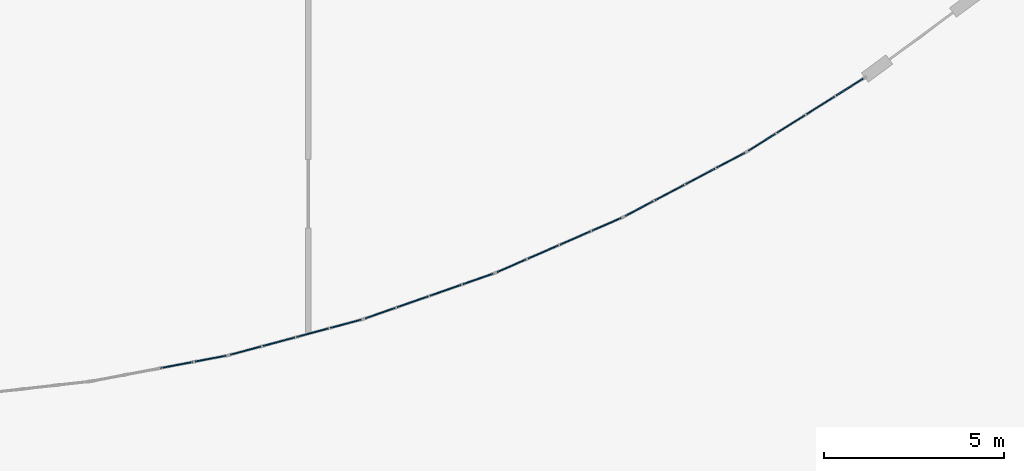
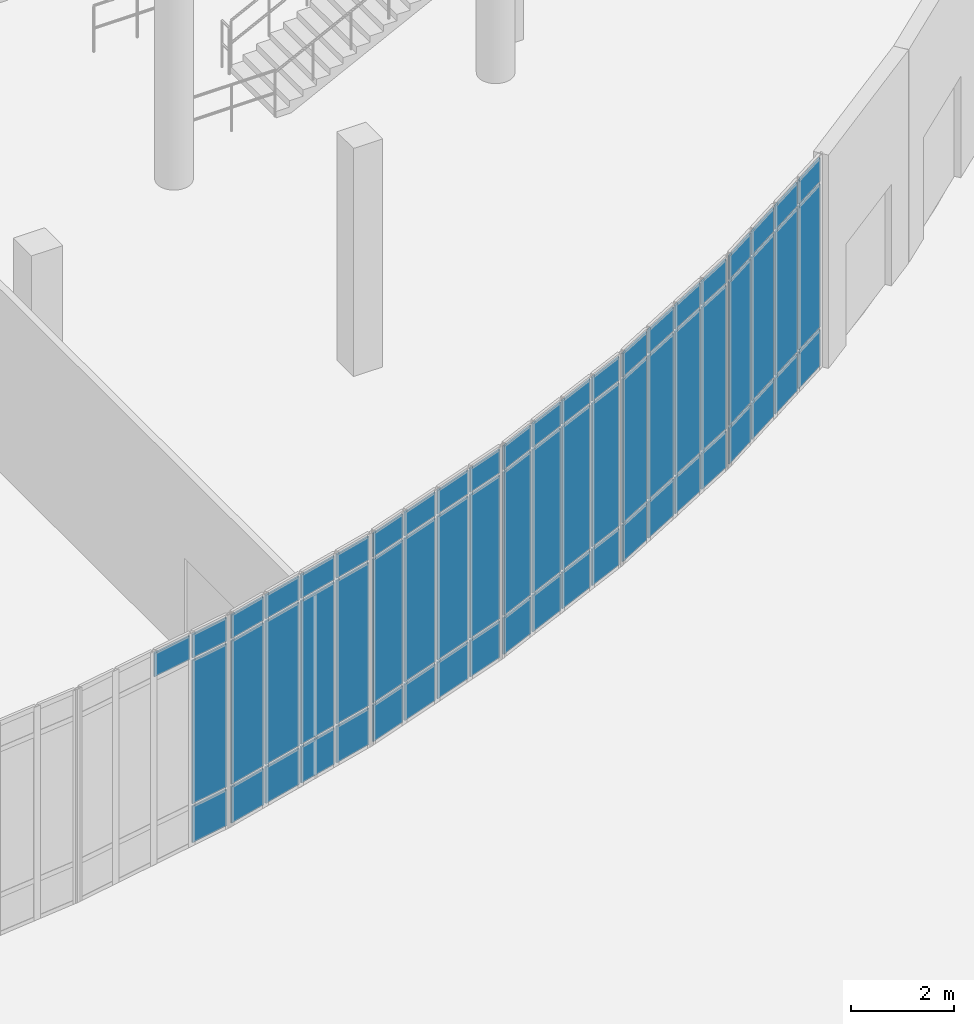
# One storey, part 76 of 110: 64 plates, 6 elements without a shape of their own.
"""IFC4 building model written with IfcOpenShell, lengths in metres."""

import ifcopenshell
import ifcopenshell.guid

model = None  # the IFC model being written
_history = None  # IfcOwnerHistory: only IFC2X3 demands one
_inside = {}  # id of a spatial element -> (the spatial element, [elements in it])
_under = {}  # id of a project, library or spatial element -> (it, [spatial elements below it])
_declared = {}  # id of a project -> (the project, [libraries it declares])
_typed = {}  # id of a type object -> (the type object, [elements of that type])
_made_of = {}  # id of a material, layer set ... -> (it, [elements and type objects made of it])


def new_model(schema):
    """Start an empty IFC model of exactly this schema.

    Asked for "IFC4X3", IfcOpenShell would pick the latest addendum, in which some entities
    have other attributes; the version numbers below select the first issue.
    IFC2X3 requires an IfcOwnerHistory on every rooted entity: one is made here for all.
    """
    global model, _history
    if schema == "IFC4X3":
        model = ifcopenshell.file(schema_version=(4, 3, 0, 0))
    else:
        model = ifcopenshell.file(schema=schema)
    _inside.clear()
    _under.clear()
    _declared.clear()
    _typed.clear()
    _made_of.clear()
    _history = None
    if model.schema == "IFC2X3":
        org = make("IfcOrganization", Name="unknown")
        user = make(
            "IfcPersonAndOrganization",
            ThePerson=make("IfcPerson", FamilyName="unknown"),
            TheOrganization=org,
        )
        app = make(
            "IfcApplication",
            ApplicationDeveloper=org,
            Version="unknown",
            ApplicationFullName="unknown",
            ApplicationIdentifier="unknown",
        )
        _history = make(
            "IfcOwnerHistory",
            OwningUser=user,
            OwningApplication=app,
            ChangeAction="ADDED",
            CreationDate=0,
        )
    return model


def make(cls, **values):
    """One entity of the class cls with the attributes given. An attribute that is None is left unset."""
    return model.create_entity(
        cls, **{name: value for name, value in values.items() if value is not None}
    )


def rooted(cls, **values):
    """An entity with a GlobalId (a new one), such as an element, a storey or a relation."""
    return make(cls, GlobalId=ifcopenshell.guid.new(), OwnerHistory=_history, **values)


def si_unit(unit_type, name, prefix=None):
    """IfcSIUnit, for example si_unit("LENGTHUNIT", "METRE", prefix="MILLI")."""
    return make("IfcSIUnit", UnitType=unit_type, Prefix=prefix, Name=name)


def assignment(units):
    """IfcUnitAssignment: the units of a project."""
    return None if units is None else make("IfcUnitAssignment", Units=units)


def point(xyz):
    """IfcCartesianPoint."""
    return None if xyz is None else make("IfcCartesianPoint", Coordinates=xyz)


def direction(xyz):
    """IfcDirection."""
    return None if xyz is None else make("IfcDirection", DirectionRatios=xyz)


def frame(location, z_axis=None, x_axis=None):
    """IfcAxis2Placement3D, a coordinate frame: its origin and axes. An axis left out is left unset."""
    return make(
        "IfcAxis2Placement3D",
        Location=point(location),
        Axis=direction(z_axis),
        RefDirection=direction(x_axis),
    )


def frame_2d(location, x_axis=None):
    """IfcAxis2Placement2D, a coordinate frame in the plane: its origin and x axis."""
    return make(
        "IfcAxis2Placement2D", Location=point(location), RefDirection=direction(x_axis)
    )


def origin():
    """The frame at (0, 0, 0) with its axes left unset."""
    return frame((0.0, 0.0, 0.0))


def origin_2d():
    """The frame at (0, 0) in the plane with its x axis left unset."""
    return frame_2d((0.0, 0.0))


def place(relative_to, where):
    """IfcLocalPlacement: puts the frame where relative to a parent placement (None: the world)."""
    return make(
        "IfcLocalPlacement", PlacementRelTo=relative_to, RelativePlacement=where
    )


def context(
    kind, dimensions, precision=None, world=None, true_north=None, identifier=None
):
    """IfcGeometricRepresentationContext, for example the 3D "Model" context."""
    return make(
        "IfcGeometricRepresentationContext",
        ContextIdentifier=identifier,
        ContextType=kind,
        CoordinateSpaceDimension=dimensions,
        Precision=precision,
        WorldCoordinateSystem=world,
        TrueNorth=true_north,
    )


def subcontext(parent, identifier, kind, view, scale=None):
    """IfcGeometricRepresentationSubContext, for example "Body" below "Model"."""
    return make(
        "IfcGeometricRepresentationSubContext",
        ContextIdentifier=identifier,
        ContextType=kind,
        ParentContext=parent,
        TargetScale=scale,
        TargetView=view,
    )


def project(units=None, contexts=None):
    """IfcProject with its units and contexts."""
    return rooted(
        "IfcProject",
        Name="project",
        RepresentationContexts=contexts,
        UnitsInContext=assignment(units),
    )


def spatial(cls, under=None, at=None, **own):
    """A site, building, storey or space (cls), placed at a placement, below another one or the project."""
    s = rooted(cls, ObjectPlacement=at, **own)
    if under is not None:
        _under.setdefault(under.id(), (under, []))[1].append(s)
    return s


def profile(cls, at=None, kind="AREA", **sizes):
    """A parametric profile (cls). Its sizes go by their IFC names, for example OverallWidth=200.0."""
    return make(cls, ProfileType=kind, Position=at, **sizes)


def rectangle(**sizes):
    """IfcRectangleProfileDef."""
    return profile("IfcRectangleProfileDef", **sizes)


def extrude(swept, where, along, depth):
    """IfcExtrudedAreaSolid: the profile swept, set in the frame where, extruded along a direction by depth."""
    return make(
        "IfcExtrudedAreaSolid",
        SweptArea=swept,
        Position=where,
        ExtrudedDirection=direction(along),
        Depth=depth,
    )


def shape(context_of_items, identifier, shape_type, items):
    """IfcShapeRepresentation: the items that make up one representation, for example the "Body"."""
    return make(
        "IfcShapeRepresentation",
        ContextOfItems=context_of_items,
        RepresentationIdentifier=identifier,
        RepresentationType=shape_type,
        Items=items,
    )


def material(Name=None, Category=None):
    """IfcMaterial."""
    return make("IfcMaterial", Name=Name, Category=Category)


def layer(
    of_material, thickness, ventilated=None, Name=None, Category=None, Priority=None
):
    """IfcMaterialLayer: one layer of a wall or slab, of a material (None: an air gap)."""
    return make(
        "IfcMaterialLayer",
        Material=of_material,
        LayerThickness=thickness,
        IsVentilated=ventilated,
        Name=Name,
        Category=Category,
        Priority=Priority,
    )


def layer_set(layers, Name=None):
    """IfcMaterialLayerSet."""
    return make("IfcMaterialLayerSet", MaterialLayers=layers, LayerSetName=Name)


def made_of(thing, what):
    """Note that an element or type object is made of a material, layer set ...; save() writes the relation."""
    if what is not None:
        _made_of.setdefault(what.id(), (what, []))[1].append(thing)
    return thing


def type_object(cls, material=None, **own):
    """A type object (cls), such as IfcWallType, which elements share."""
    return made_of(rooted(cls, **own), material)


def element(
    cls,
    number,
    at=None,
    inside=None,
    cuts=None,
    type_object=None,
    material=None,
    context=None,
    identifier="Body",
    shape_type=None,
    held_by="IfcProductDefinitionShape",
    body=None,
    shapes=None,
    **own,
):
    """One element of the class cls, such as IfcWall. Its Tag is "e" and its number.

    at: its placement. inside: the storey or other place that contains it. cuts: it is an
    opening in that element (IfcRelVoidsElement). A single representation is given by context,
    identifier, shape_type and body (its items); several are given by shapes. held_by: the class
    of the entity that holds the representations. save() writes the other relations.
    """
    e = rooted(cls, Tag="e%d" % number, ObjectPlacement=at, **own)
    if body is not None:
        shapes = [shape(context, identifier, shape_type, body)]
    if shapes is not None:
        e.Representation = make(held_by, Representations=shapes)
    if inside is not None:
        _inside.setdefault(inside.id(), (inside, []))[1].append(e)
    if cuts is not None:
        rooted(
            "IfcRelVoidsElement", RelatingBuildingElement=cuts, RelatedOpeningElement=e
        )
    if type_object is not None:
        _typed.setdefault(type_object.id(), (type_object, []))[1].append(e)
    return made_of(e, material)


def aggregate(whole, parts):
    """IfcRelAggregates: a whole, such as a stair, and the parts it consists of."""
    return rooted("IfcRelAggregates", RelatingObject=whole, RelatedObjects=parts)


def save(model, path):
    """Write the relations noted so far, then the file.

    IfcRelAggregates (storeys below a building ...), IfcRelContainedInSpatialStructure (elements
    in a storey), IfcRelDefinesByType, IfcRelAssociatesMaterial and IfcRelDeclares: one each for
    every whole, place, type object, material and project.
    """
    for whole, parts in _under.values():
        aggregate(whole, parts)
    for where, things in _inside.values():
        rooted(
            "IfcRelContainedInSpatialStructure",
            RelatedElements=things,
            RelatingStructure=where,
        )
    for kind, things in _typed.values():
        rooted("IfcRelDefinesByType", RelatedObjects=things, RelatingType=kind)
    for what, things in _made_of.values():
        rooted("IfcRelAssociatesMaterial", RelatedObjects=things, RelatingMaterial=what)
    for by, libraries in _declared.values():
        rooted("IfcRelDeclares", RelatingContext=by, RelatedDefinitions=libraries)
    model.write(path)


model = new_model("IFC4")

# Units and contexts
model_context = context("Model", 3, precision=1e-05, world=origin(), true_north=direction((0.0, 1.0)))
body_context = subcontext(model_context, "Body", "Model", "MODEL_VIEW")
ifc_project = project(units=[si_unit("LENGTHUNIT", "METRE"), si_unit("AREAUNIT", "SQUARE_METRE"), si_unit("VOLUMEUNIT", "CUBIC_METRE"), si_unit("PLANEANGLEUNIT", "RADIAN"), si_unit("MASSUNIT", "GRAM", prefix="KILO")], contexts=[model_context])

# Site, building, storey
site_placement = place(None, origin())
site = spatial("IfcSite", under=ifc_project, at=site_placement, CompositionType="ELEMENT")
building_placement = place(site_placement, origin())
building = spatial("IfcBuilding", under=site, at=building_placement, Name="Kalluvel Institute of Natural Sciences", CompositionType="ELEMENT")
storey_placement = place(building_placement, origin())
storey = spatial("IfcBuildingStorey", under=building, at=storey_placement, Name="L00", CompositionType="ELEMENT", Elevation=0.0)

# Curtain wall, plates
ifc_material_1 = material(Name="Aluminium AW-6063 T6", Category="aluminium")
curtain_wall_type = type_object("IfcCurtainWallType", Name="CW-ATR-L00", PredefinedType="USERDEFINED", material=ifc_material_1)
curtain_wall_1_placement = place(storey_placement, origin())
curtain_wall_1 = element("IfcCurtainWall", 1, at=curtain_wall_1_placement, inside=storey, type_object=curtain_wall_type, Name="L00 Gothic lancet curtain wall CWA-L00-X434-Y514", ObjectType="UNITISED LANCET FACADE", PredefinedType="USERDEFINED")
ifc_material_2 = material(Name="Solar-Control Low-E Laminated Glass", Category="glass")
ifc_layer = layer(ifc_material_2, 0.035888671875)
ifc_layer_set = layer_set([ifc_layer], Name="Solar-Control Low-E Laminated Glass")
plate_type = type_object("IfcPlateType", Name="CWP-DGU-36", PredefinedType="CURTAIN_PANEL", material=ifc_layer_set)
plate_1_placement = place(storey_placement, frame((45.73828125, 51.83251953125, 4.429931640625), z_axis=(0.0, 0.0, 1.0), x_axis=(0.982568976212, 0.185898378113, 0.0)))
plate_1 = element("IfcPlate", 2, at=plate_1_placement, type_object=plate_type, Name="CW-06 panel 3.3", PredefinedType="CURTAIN_PANEL", context=body_context, shape_type="SweptSolid", body=[
    extrude(rectangle(XDim=0.912109375, YDim=0.035888671875, at=origin_2d()), origin(), (0.0, 0.0, 1.0), 0.56005859375),
])
plate_2_placement = place(storey_placement, frame((46.6787109375, 52.010498046875, 0.06005859375), z_axis=(0.0, 0.0, 1.0), x_axis=(0.982568976212, 0.185898378113, 0.0)))
plate_2 = element("IfcPlate", 3, at=plate_2_placement, type_object=plate_type, Name="CW-06 panel 4.1", PredefinedType="CURTAIN_PANEL", context=body_context, shape_type="SweptSolid", body=[
    extrude(rectangle(XDim=0.882080078125, YDim=0.035888671875, at=origin_2d()), origin(), (0.0, 0.0, 1.0), 0.860107421875),
])
plate_3_placement = place(storey_placement, frame((46.6787109375, 52.010498046875, 0.97998046875), z_axis=(0.0, 0.0, 1.0), x_axis=(0.982568976212, 0.185898378113, 0.0)))
plate_3 = element("IfcPlate", 4, at=plate_3_placement, type_object=plate_type, Name="CW-06 panel 4.2", PredefinedType="CURTAIN_PANEL", context=body_context, shape_type="SweptSolid", body=[
    extrude(rectangle(XDim=0.882080078125, YDim=0.035888671875, at=origin_2d()), origin(), (0.0, 0.0, 1.0), 3.389892578125),
])
plate_4_placement = place(storey_placement, frame((46.6787109375, 52.010498046875, 4.429931640625), z_axis=(0.0, 0.0, 1.0), x_axis=(0.982568976212, 0.185898378113, 0.0)))
plate_4 = element("IfcPlate", 5, at=plate_4_placement, type_object=plate_type, Name="CW-06 panel 4.3", PredefinedType="CURTAIN_PANEL", context=body_context, shape_type="SweptSolid", body=[
    extrude(rectangle(XDim=0.882080078125, YDim=0.035888671875, at=origin_2d()), origin(), (0.0, 0.0, 1.0), 0.56005859375),
])
aggregate(curtain_wall_1, [plate_1, plate_2, plate_3, plate_4])

curtain_wall_2_placement = place(storey_placement, origin())
curtain_wall_2 = element("IfcCurtainWall", 6, at=curtain_wall_2_placement, inside=storey, type_object=curtain_wall_type, Name="L00 Gothic lancet curtain wall CWA-L00-X472-Y521", ObjectType="UNITISED LANCET FACADE", PredefinedType="USERDEFINED")
plate_5_placement = place(storey_placement, frame((47.655029296875, 52.2333984375, 0.06005859375), z_axis=(0.0, 0.0, 1.0), x_axis=(0.965923946245, 0.25882606142, 0.0)))
plate_5 = element("IfcPlate", 7, at=plate_5_placement, type_object=plate_type, Name="CW-06 panel 1.1", PredefinedType="CURTAIN_PANEL", context=body_context, shape_type="SweptSolid", body=[
    extrude(rectangle(XDim=0.882080078125, YDim=0.035888671875, at=origin_2d()), origin(), (0.0, 0.0, 1.0), 0.860107421875),
])
plate_6_placement = place(storey_placement, frame((47.655029296875, 52.2333984375, 0.97998046875), z_axis=(0.0, 0.0, 1.0), x_axis=(0.965923946245, 0.25882606142, 0.0)))
plate_6 = element("IfcPlate", 8, at=plate_6_placement, type_object=plate_type, Name="CW-06 panel 1.2", PredefinedType="CURTAIN_PANEL", context=body_context, shape_type="SweptSolid", body=[
    extrude(rectangle(XDim=0.882080078125, YDim=0.035888671875, at=origin_2d()), origin(), (0.0, 0.0, 1.0), 3.389892578125),
])
plate_7_placement = place(storey_placement, frame((47.655029296875, 52.2333984375, 4.429931640625), z_axis=(0.0, 0.0, 1.0), x_axis=(0.965923946245, 0.25882606142, 0.0)))
plate_7 = element("IfcPlate", 9, at=plate_7_placement, type_object=plate_type, Name="CW-06 panel 1.3", PredefinedType="CURTAIN_PANEL", context=body_context, shape_type="SweptSolid", body=[
    extrude(rectangle(XDim=0.882080078125, YDim=0.035888671875, at=origin_2d()), origin(), (0.0, 0.0, 1.0), 0.56005859375),
])
plate_8_placement = place(storey_placement, frame((48.57958984375, 52.481201171875, 0.06005859375), z_axis=(0.0, 0.0, 1.0), x_axis=(0.965923946245, 0.25882606142, 0.0)))
plate_8 = element("IfcPlate", 10, at=plate_8_placement, type_object=plate_type, Name="CW-06 panel 2.1", PredefinedType="CURTAIN_PANEL", context=body_context, shape_type="SweptSolid", body=[
    extrude(rectangle(XDim=0.912109375, YDim=0.035888671875, at=origin_2d()), origin(), (0.0, 0.0, 1.0), 0.860107421875),
])
plate_9_placement = place(storey_placement, frame((48.57958984375, 52.481201171875, 0.97998046875), z_axis=(0.0, 0.0, 1.0), x_axis=(0.965923946245, 0.25882606142, 0.0)))
plate_9 = element("IfcPlate", 11, at=plate_9_placement, type_object=plate_type, Name="CW-06 panel 2.2", PredefinedType="CURTAIN_PANEL", context=body_context, shape_type="SweptSolid", body=[
    extrude(rectangle(XDim=0.912109375, YDim=0.035888671875, at=origin_2d()), origin(), (0.0, 0.0, 1.0), 3.389892578125),
])
plate_10_placement = place(storey_placement, frame((48.57958984375, 52.481201171875, 4.429931640625), z_axis=(0.0, 0.0, 1.0), x_axis=(0.965923946245, 0.25882606142, 0.0)))
plate_10 = element("IfcPlate", 12, at=plate_10_placement, type_object=plate_type, Name="CW-06 panel 2.3", PredefinedType="CURTAIN_PANEL", context=body_context, shape_type="SweptSolid", body=[
    extrude(rectangle(XDim=0.912109375, YDim=0.035888671875, at=origin_2d()), origin(), (0.0, 0.0, 1.0), 0.56005859375),
])
plate_11_placement = place(storey_placement, frame((49.518798828125, 52.732666015625, 0.06005859375), z_axis=(0.0, 0.0, 1.0), x_axis=(0.965923946245, 0.25882606142, 0.0)))
plate_11 = element("IfcPlate", 13, at=plate_11_placement, type_object=plate_type, Name="CW-06 panel 3.1", PredefinedType="CURTAIN_PANEL", context=body_context, shape_type="SweptSolid", body=[
    extrude(rectangle(XDim=0.912109375, YDim=0.035888671875, at=origin_2d()), origin(), (0.0, 0.0, 1.0), 0.860107421875),
])
plate_12_placement = place(storey_placement, frame((49.518798828125, 52.732666015625, 0.97998046875), z_axis=(0.0, 0.0, 1.0), x_axis=(0.965923946245, 0.25882606142, 0.0)))
plate_12 = element("IfcPlate", 14, at=plate_12_placement, type_object=plate_type, Name="CW-06 panel 3.2", PredefinedType="CURTAIN_PANEL", context=body_context, shape_type="SweptSolid", body=[
    extrude(rectangle(XDim=0.912109375, YDim=0.035888671875, at=origin_2d()), origin(), (0.0, 0.0, 1.0), 3.389892578125),
])
plate_13_placement = place(storey_placement, frame((49.518798828125, 52.732666015625, 4.429931640625), z_axis=(0.0, 0.0, 1.0), x_axis=(0.965923946245, 0.25882606142, 0.0)))
plate_13 = element("IfcPlate", 15, at=plate_13_placement, type_object=plate_type, Name="CW-06 panel 3.3", PredefinedType="CURTAIN_PANEL", context=body_context, shape_type="SweptSolid", body=[
    extrude(rectangle(XDim=0.912109375, YDim=0.035888671875, at=origin_2d()), origin(), (0.0, 0.0, 1.0), 0.56005859375),
])
plate_14_placement = place(storey_placement, frame((50.443359375, 52.98046875, 0.06005859375), z_axis=(0.0, 0.0, 1.0), x_axis=(0.965923946245, 0.25882606142, 0.0)))
plate_14 = element("IfcPlate", 16, at=plate_14_placement, type_object=plate_type, Name="CW-06 panel 4.1", PredefinedType="CURTAIN_PANEL", context=body_context, shape_type="SweptSolid", body=[
    extrude(rectangle(XDim=0.882080078125, YDim=0.035888671875, at=origin_2d()), origin(), (0.0, 0.0, 1.0), 0.860107421875),
])
plate_15_placement = place(storey_placement, frame((50.443359375, 52.98046875, 0.97998046875), z_axis=(0.0, 0.0, 1.0), x_axis=(0.965923946245, 0.25882606142, 0.0)))
plate_15 = element("IfcPlate", 17, at=plate_15_placement, type_object=plate_type, Name="CW-06 panel 4.2", PredefinedType="CURTAIN_PANEL", context=body_context, shape_type="SweptSolid", body=[
    extrude(rectangle(XDim=0.882080078125, YDim=0.035888671875, at=origin_2d()), origin(), (0.0, 0.0, 1.0), 3.389892578125),
])
plate_16_placement = place(storey_placement, frame((50.443359375, 52.98046875, 4.429931640625), z_axis=(0.0, 0.0, 1.0), x_axis=(0.965923946245, 0.25882606142, 0.0)))
plate_16 = element("IfcPlate", 18, at=plate_16_placement, type_object=plate_type, Name="CW-06 panel 4.3", PredefinedType="CURTAIN_PANEL", context=body_context, shape_type="SweptSolid", body=[
    extrude(rectangle(XDim=0.882080078125, YDim=0.035888671875, at=origin_2d()), origin(), (0.0, 0.0, 1.0), 0.56005859375),
])
aggregate(curtain_wall_2, [plate_5, plate_6, plate_7, plate_8, plate_9, plate_10, plate_11, plate_12, plate_13, plate_14, plate_15, plate_16])

curtain_wall_3_placement = place(storey_placement, origin())
curtain_wall_3 = element("IfcCurtainWall", 19, at=curtain_wall_3_placement, inside=storey, type_object=curtain_wall_type, Name="L00 Gothic lancet curtain wall CWA-L00-X509-Y531", ObjectType="UNITISED LANCET FACADE", PredefinedType="USERDEFINED")
plate_17_placement = place(storey_placement, frame((51.400146484375, 53.275634765625, 0.06005859375), z_axis=(0.0, 0.0, 1.0), x_axis=(0.943877598761, 0.330295441321, 0.0)))
plate_17 = element("IfcPlate", 20, at=plate_17_placement, type_object=plate_type, Name="CW-06 panel 1.1", PredefinedType="CURTAIN_PANEL", context=body_context, shape_type="SweptSolid", body=[
    extrude(rectangle(XDim=0.882080078125, YDim=0.035888671875, at=origin_2d()), origin(), (0.0, 0.0, 1.0), 0.860107421875),
])
plate_18_placement = place(storey_placement, frame((51.400146484375, 53.275634765625, 0.97998046875), z_axis=(0.0, 0.0, 1.0), x_axis=(0.943877598761, 0.330295441321, 0.0)))
plate_18 = element("IfcPlate", 21, at=plate_18_placement, type_object=plate_type, Name="CW-06 panel 1.2", PredefinedType="CURTAIN_PANEL", context=body_context, shape_type="SweptSolid", body=[
    extrude(rectangle(XDim=0.882080078125, YDim=0.035888671875, at=origin_2d()), origin(), (0.0, 0.0, 1.0), 3.389892578125),
])
plate_19_placement = place(storey_placement, frame((51.400146484375, 53.275634765625, 4.429931640625), z_axis=(0.0, 0.0, 1.0), x_axis=(0.943877598761, 0.330295441321, 0.0)))
plate_19 = element("IfcPlate", 22, at=plate_19_placement, type_object=plate_type, Name="CW-06 panel 1.3", PredefinedType="CURTAIN_PANEL", context=body_context, shape_type="SweptSolid", body=[
    extrude(rectangle(XDim=0.882080078125, YDim=0.035888671875, at=origin_2d()), origin(), (0.0, 0.0, 1.0), 0.56005859375),
])
plate_20_placement = place(storey_placement, frame((52.3037109375, 53.591796875, 0.06005859375), z_axis=(0.0, 0.0, 1.0), x_axis=(0.943877598761, 0.330295441321, 0.0)))
plate_20 = element("IfcPlate", 23, at=plate_20_placement, type_object=plate_type, Name="CW-06 panel 2.1", PredefinedType="CURTAIN_PANEL", context=body_context, shape_type="SweptSolid", body=[
    extrude(rectangle(XDim=0.912109375, YDim=0.035888671875, at=origin_2d()), origin(), (0.0, 0.0, 1.0), 0.860107421875),
])
plate_21_placement = place(storey_placement, frame((52.3037109375, 53.591796875, 0.97998046875), z_axis=(0.0, 0.0, 1.0), x_axis=(0.943877598761, 0.330295441321, 0.0)))
plate_21 = element("IfcPlate", 24, at=plate_21_placement, type_object=plate_type, Name="CW-06 panel 2.2", PredefinedType="CURTAIN_PANEL", context=body_context, shape_type="SweptSolid", body=[
    extrude(rectangle(XDim=0.912109375, YDim=0.035888671875, at=origin_2d()), origin(), (0.0, 0.0, 1.0), 3.389892578125),
])
plate_22_placement = place(storey_placement, frame((52.3037109375, 53.591796875, 4.429931640625), z_axis=(0.0, 0.0, 1.0), x_axis=(0.943877598761, 0.330295441321, 0.0)))
plate_22 = element("IfcPlate", 25, at=plate_22_placement, type_object=plate_type, Name="CW-06 panel 2.3", PredefinedType="CURTAIN_PANEL", context=body_context, shape_type="SweptSolid", body=[
    extrude(rectangle(XDim=0.912109375, YDim=0.035888671875, at=origin_2d()), origin(), (0.0, 0.0, 1.0), 0.56005859375),
])
plate_23_placement = place(storey_placement, frame((53.22119140625, 53.912841796875, 0.06005859375), z_axis=(0.0, 0.0, 1.0), x_axis=(0.943877598761, 0.330295441321, 0.0)))
plate_23 = element("IfcPlate", 26, at=plate_23_placement, type_object=plate_type, Name="CW-06 panel 3.1", PredefinedType="CURTAIN_PANEL", context=body_context, shape_type="SweptSolid", body=[
    extrude(rectangle(XDim=0.912109375, YDim=0.035888671875, at=origin_2d()), origin(), (0.0, 0.0, 1.0), 0.860107421875),
])
plate_24_placement = place(storey_placement, frame((53.22119140625, 53.912841796875, 0.97998046875), z_axis=(0.0, 0.0, 1.0), x_axis=(0.943877598761, 0.330295441321, 0.0)))
plate_24 = element("IfcPlate", 27, at=plate_24_placement, type_object=plate_type, Name="CW-06 panel 3.2", PredefinedType="CURTAIN_PANEL", context=body_context, shape_type="SweptSolid", body=[
    extrude(rectangle(XDim=0.912109375, YDim=0.035888671875, at=origin_2d()), origin(), (0.0, 0.0, 1.0), 3.389892578125),
])
plate_25_placement = place(storey_placement, frame((53.22119140625, 53.912841796875, 4.429931640625), z_axis=(0.0, 0.0, 1.0), x_axis=(0.943877598761, 0.330295441321, 0.0)))
plate_25 = element("IfcPlate", 28, at=plate_25_placement, type_object=plate_type, Name="CW-06 panel 3.3", PredefinedType="CURTAIN_PANEL", context=body_context, shape_type="SweptSolid", body=[
    extrude(rectangle(XDim=0.912109375, YDim=0.035888671875, at=origin_2d()), origin(), (0.0, 0.0, 1.0), 0.56005859375),
])
plate_26_placement = place(storey_placement, frame((54.124755859375, 54.22900390625, 0.06005859375), z_axis=(0.0, 0.0, 1.0), x_axis=(0.943877598761, 0.330295441321, 0.0)))
plate_26 = element("IfcPlate", 29, at=plate_26_placement, type_object=plate_type, Name="CW-06 panel 4.1", PredefinedType="CURTAIN_PANEL", context=body_context, shape_type="SweptSolid", body=[
    extrude(rectangle(XDim=0.882080078125, YDim=0.035888671875, at=origin_2d()), origin(), (0.0, 0.0, 1.0), 0.860107421875),
])
plate_27_placement = place(storey_placement, frame((54.124755859375, 54.22900390625, 0.97998046875), z_axis=(0.0, 0.0, 1.0), x_axis=(0.943877598761, 0.330295441321, 0.0)))
plate_27 = element("IfcPlate", 30, at=plate_27_placement, type_object=plate_type, Name="CW-06 panel 4.2", PredefinedType="CURTAIN_PANEL", context=body_context, shape_type="SweptSolid", body=[
    extrude(rectangle(XDim=0.882080078125, YDim=0.035888671875, at=origin_2d()), origin(), (0.0, 0.0, 1.0), 3.389892578125),
])
plate_28_placement = place(storey_placement, frame((54.124755859375, 54.22900390625, 4.429931640625), z_axis=(0.0, 0.0, 1.0), x_axis=(0.943877598761, 0.330295441321, 0.0)))
plate_28 = element("IfcPlate", 31, at=plate_28_placement, type_object=plate_type, Name="CW-06 panel 4.3", PredefinedType="CURTAIN_PANEL", context=body_context, shape_type="SweptSolid", body=[
    extrude(rectangle(XDim=0.882080078125, YDim=0.035888671875, at=origin_2d()), origin(), (0.0, 0.0, 1.0), 0.56005859375),
])
aggregate(curtain_wall_3, [plate_17, plate_18, plate_19, plate_20, plate_21, plate_22, plate_23, plate_24, plate_25, plate_26, plate_27, plate_28])

curtain_wall_4_placement = place(storey_placement, origin())
curtain_wall_4 = element("IfcCurtainWall", 32, at=curtain_wall_4_placement, inside=storey, type_object=curtain_wall_type, Name="L00 Gothic lancet curtain wall CWA-L00-X546-Y544", ObjectType="UNITISED LANCET FACADE", PredefinedType="USERDEFINED")
plate_29_placement = place(storey_placement, frame((55.056884765625, 54.594970703125, 0.06005859375), z_axis=(0.0, 0.0, 1.0), x_axis=(0.916570568151, 0.399872971829, 0.0)))
plate_29 = element("IfcPlate", 33, at=plate_29_placement, type_object=plate_type, Name="CW-06 panel 1.1", PredefinedType="CURTAIN_PANEL", context=body_context, shape_type="SweptSolid", body=[
    extrude(rectangle(XDim=0.882080078125, YDim=0.035888671875, at=origin_2d()), origin(), (0.0, 0.0, 1.0), 0.860107421875),
])
plate_30_placement = place(storey_placement, frame((55.056884765625, 54.594970703125, 0.97998046875), z_axis=(0.0, 0.0, 1.0), x_axis=(0.916570568151, 0.399872971829, 0.0)))
plate_30 = element("IfcPlate", 34, at=plate_30_placement, type_object=plate_type, Name="CW-06 panel 1.2", PredefinedType="CURTAIN_PANEL", context=body_context, shape_type="SweptSolid", body=[
    extrude(rectangle(XDim=0.882080078125, YDim=0.035888671875, at=origin_2d()), origin(), (0.0, 0.0, 1.0), 3.389892578125),
])
plate_31_placement = place(storey_placement, frame((55.056884765625, 54.594970703125, 4.429931640625), z_axis=(0.0, 0.0, 1.0), x_axis=(0.916570568151, 0.399872971829, 0.0)))
plate_31 = element("IfcPlate", 35, at=plate_31_placement, type_object=plate_type, Name="CW-06 panel 1.3", PredefinedType="CURTAIN_PANEL", context=body_context, shape_type="SweptSolid", body=[
    extrude(rectangle(XDim=0.882080078125, YDim=0.035888671875, at=origin_2d()), origin(), (0.0, 0.0, 1.0), 0.56005859375),
])
plate_32_placement = place(storey_placement, frame((55.934326171875, 54.977783203125, 0.06005859375), z_axis=(0.0, 0.0, 1.0), x_axis=(0.916570568151, 0.399872971829, 0.0)))
plate_32 = element("IfcPlate", 36, at=plate_32_placement, type_object=plate_type, Name="CW-06 panel 2.1", PredefinedType="CURTAIN_PANEL", context=body_context, shape_type="SweptSolid", body=[
    extrude(rectangle(XDim=0.912109375, YDim=0.035888671875, at=origin_2d()), origin(), (0.0, 0.0, 1.0), 0.860107421875),
])
plate_33_placement = place(storey_placement, frame((55.934326171875, 54.977783203125, 0.97998046875), z_axis=(0.0, 0.0, 1.0), x_axis=(0.916570568151, 0.399872971829, 0.0)))
plate_33 = element("IfcPlate", 37, at=plate_33_placement, type_object=plate_type, Name="CW-06 panel 2.2", PredefinedType="CURTAIN_PANEL", context=body_context, shape_type="SweptSolid", body=[
    extrude(rectangle(XDim=0.912109375, YDim=0.035888671875, at=origin_2d()), origin(), (0.0, 0.0, 1.0), 3.389892578125),
])
plate_34_placement = place(storey_placement, frame((55.934326171875, 54.977783203125, 4.429931640625), z_axis=(0.0, 0.0, 1.0), x_axis=(0.916570568151, 0.399872971829, 0.0)))
plate_34 = element("IfcPlate", 38, at=plate_34_placement, type_object=plate_type, Name="CW-06 panel 2.3", PredefinedType="CURTAIN_PANEL", context=body_context, shape_type="SweptSolid", body=[
    extrude(rectangle(XDim=0.912109375, YDim=0.035888671875, at=origin_2d()), origin(), (0.0, 0.0, 1.0), 0.56005859375),
])
plate_35_placement = place(storey_placement, frame((56.825439453125, 55.366455078125, 0.06005859375), z_axis=(0.0, 0.0, 1.0), x_axis=(0.916570568151, 0.399872971829, 0.0)))
plate_35 = element("IfcPlate", 39, at=plate_35_placement, type_object=plate_type, Name="CW-06 panel 3.1", PredefinedType="CURTAIN_PANEL", context=body_context, shape_type="SweptSolid", body=[
    extrude(rectangle(XDim=0.912109375, YDim=0.035888671875, at=origin_2d()), origin(), (0.0, 0.0, 1.0), 0.860107421875),
])
plate_36_placement = place(storey_placement, frame((56.825439453125, 55.366455078125, 0.97998046875), z_axis=(0.0, 0.0, 1.0), x_axis=(0.916570568151, 0.399872971829, 0.0)))
plate_36 = element("IfcPlate", 40, at=plate_36_placement, type_object=plate_type, Name="CW-06 panel 3.2", PredefinedType="CURTAIN_PANEL", context=body_context, shape_type="SweptSolid", body=[
    extrude(rectangle(XDim=0.912109375, YDim=0.035888671875, at=origin_2d()), origin(), (0.0, 0.0, 1.0), 3.389892578125),
])
plate_37_placement = place(storey_placement, frame((56.825439453125, 55.366455078125, 4.429931640625), z_axis=(0.0, 0.0, 1.0), x_axis=(0.916570568151, 0.399872971829, 0.0)))
plate_37 = element("IfcPlate", 41, at=plate_37_placement, type_object=plate_type, Name="CW-06 panel 3.3", PredefinedType="CURTAIN_PANEL", context=body_context, shape_type="SweptSolid", body=[
    extrude(rectangle(XDim=0.912109375, YDim=0.035888671875, at=origin_2d()), origin(), (0.0, 0.0, 1.0), 0.56005859375),
])
plate_38_placement = place(storey_placement, frame((57.70263671875, 55.749267578125, 0.06005859375), z_axis=(0.0, 0.0, 1.0), x_axis=(0.916570568151, 0.399872971829, 0.0)))
plate_38 = element("IfcPlate", 42, at=plate_38_placement, type_object=plate_type, Name="CW-06 panel 4.1", PredefinedType="CURTAIN_PANEL", context=body_context, shape_type="SweptSolid", body=[
    extrude(rectangle(XDim=0.882080078125, YDim=0.035888671875, at=origin_2d()), origin(), (0.0, 0.0, 1.0), 0.860107421875),
])
plate_39_placement = place(storey_placement, frame((57.70263671875, 55.749267578125, 0.97998046875), z_axis=(0.0, 0.0, 1.0), x_axis=(0.916570568151, 0.399872971829, 0.0)))
plate_39 = element("IfcPlate", 43, at=plate_39_placement, type_object=plate_type, Name="CW-06 panel 4.2", PredefinedType="CURTAIN_PANEL", context=body_context, shape_type="SweptSolid", body=[
    extrude(rectangle(XDim=0.882080078125, YDim=0.035888671875, at=origin_2d()), origin(), (0.0, 0.0, 1.0), 3.389892578125),
])
plate_40_placement = place(storey_placement, frame((57.70263671875, 55.749267578125, 4.429931640625), z_axis=(0.0, 0.0, 1.0), x_axis=(0.916570568151, 0.399872971829, 0.0)))
plate_40 = element("IfcPlate", 44, at=plate_40_placement, type_object=plate_type, Name="CW-06 panel 4.3", PredefinedType="CURTAIN_PANEL", context=body_context, shape_type="SweptSolid", body=[
    extrude(rectangle(XDim=0.882080078125, YDim=0.035888671875, at=origin_2d()), origin(), (0.0, 0.0, 1.0), 0.56005859375),
])
aggregate(curtain_wall_4, [plate_29, plate_30, plate_31, plate_32, plate_33, plate_34, plate_35, plate_36, plate_37, plate_38, plate_39, plate_40])

curtain_wall_5_placement = place(storey_placement, origin())
curtain_wall_5 = element("IfcCurtainWall", 45, at=curtain_wall_5_placement, inside=storey, type_object=curtain_wall_type, Name="L00 Gothic lancet curtain wall CWA-L00-X582-Y559", ObjectType="UNITISED LANCET FACADE", PredefinedType="USERDEFINED")
plate_41_placement = place(storey_placement, frame((58.60498046875, 56.183837890625, 0.06005859375), z_axis=(0.0, 0.0, 1.0), x_axis=(0.884108599764, 0.467281482432, 0.0)))
plate_41 = element("IfcPlate", 46, at=plate_41_placement, type_object=plate_type, Name="CW-06 panel 1.1", PredefinedType="CURTAIN_PANEL", context=body_context, shape_type="SweptSolid", body=[
    extrude(rectangle(XDim=0.882080078125, YDim=0.035888671875, at=origin_2d()), origin(), (0.0, 0.0, 1.0), 0.860107421875),
])
plate_42_placement = place(storey_placement, frame((58.60498046875, 56.183837890625, 0.97998046875), z_axis=(0.0, 0.0, 1.0), x_axis=(0.884108599764, 0.467281482432, 0.0)))
plate_42 = element("IfcPlate", 47, at=plate_42_placement, type_object=plate_type, Name="CW-06 panel 1.2", PredefinedType="CURTAIN_PANEL", context=body_context, shape_type="SweptSolid", body=[
    extrude(rectangle(XDim=0.882080078125, YDim=0.035888671875, at=origin_2d()), origin(), (0.0, 0.0, 1.0), 3.389892578125),
])
plate_43_placement = place(storey_placement, frame((58.60498046875, 56.183837890625, 4.429931640625), z_axis=(0.0, 0.0, 1.0), x_axis=(0.884108599764, 0.467281482432, 0.0)))
plate_43 = element("IfcPlate", 48, at=plate_43_placement, type_object=plate_type, Name="CW-06 panel 1.3", PredefinedType="CURTAIN_PANEL", context=body_context, shape_type="SweptSolid", body=[
    extrude(rectangle(XDim=0.882080078125, YDim=0.035888671875, at=origin_2d()), origin(), (0.0, 0.0, 1.0), 0.56005859375),
])
plate_44_placement = place(storey_placement, frame((59.451171875, 56.631103515625, 0.06005859375), z_axis=(0.0, 0.0, 1.0), x_axis=(0.884108599764, 0.467281482432, 0.0)))
plate_44 = element("IfcPlate", 49, at=plate_44_placement, type_object=plate_type, Name="CW-06 panel 2.1", PredefinedType="CURTAIN_PANEL", context=body_context, shape_type="SweptSolid", body=[
    extrude(rectangle(XDim=0.912109375, YDim=0.035888671875, at=origin_2d()), origin(), (0.0, 0.0, 1.0), 0.860107421875),
])
plate_45_placement = place(storey_placement, frame((59.451171875, 56.631103515625, 0.97998046875), z_axis=(0.0, 0.0, 1.0), x_axis=(0.884108599764, 0.467281482432, 0.0)))
plate_45 = element("IfcPlate", 50, at=plate_45_placement, type_object=plate_type, Name="CW-06 panel 2.2", PredefinedType="CURTAIN_PANEL", context=body_context, shape_type="SweptSolid", body=[
    extrude(rectangle(XDim=0.912109375, YDim=0.035888671875, at=origin_2d()), origin(), (0.0, 0.0, 1.0), 3.389892578125),
])
plate_46_placement = place(storey_placement, frame((59.451171875, 56.631103515625, 4.429931640625), z_axis=(0.0, 0.0, 1.0), x_axis=(0.884108599764, 0.467281482432, 0.0)))
plate_46 = element("IfcPlate", 51, at=plate_46_placement, type_object=plate_type, Name="CW-06 panel 2.3", PredefinedType="CURTAIN_PANEL", context=body_context, shape_type="SweptSolid", body=[
    extrude(rectangle(XDim=0.912109375, YDim=0.035888671875, at=origin_2d()), origin(), (0.0, 0.0, 1.0), 0.56005859375),
])
plate_47_placement = place(storey_placement, frame((60.310791015625, 57.085205078125, 0.06005859375), z_axis=(0.0, 0.0, 1.0), x_axis=(0.884108599764, 0.467281482432, 0.0)))
plate_47 = element("IfcPlate", 52, at=plate_47_placement, type_object=plate_type, Name="CW-06 panel 3.1", PredefinedType="CURTAIN_PANEL", context=body_context, shape_type="SweptSolid", body=[
    extrude(rectangle(XDim=0.912109375, YDim=0.035888671875, at=origin_2d()), origin(), (0.0, 0.0, 1.0), 0.860107421875),
])
plate_48_placement = place(storey_placement, frame((60.310791015625, 57.085205078125, 0.97998046875), z_axis=(0.0, 0.0, 1.0), x_axis=(0.884108599764, 0.467281482432, 0.0)))
plate_48 = element("IfcPlate", 53, at=plate_48_placement, type_object=plate_type, Name="CW-06 panel 3.2", PredefinedType="CURTAIN_PANEL", context=body_context, shape_type="SweptSolid", body=[
    extrude(rectangle(XDim=0.912109375, YDim=0.035888671875, at=origin_2d()), origin(), (0.0, 0.0, 1.0), 3.389892578125),
])
plate_49_placement = place(storey_placement, frame((60.310791015625, 57.085205078125, 4.429931640625), z_axis=(0.0, 0.0, 1.0), x_axis=(0.884108599764, 0.467281482432, 0.0)))
plate_49 = element("IfcPlate", 54, at=plate_49_placement, type_object=plate_type, Name="CW-06 panel 3.3", PredefinedType="CURTAIN_PANEL", context=body_context, shape_type="SweptSolid", body=[
    extrude(rectangle(XDim=0.912109375, YDim=0.035888671875, at=origin_2d()), origin(), (0.0, 0.0, 1.0), 0.56005859375),
])
plate_50_placement = place(storey_placement, frame((61.156982421875, 57.532470703125, 0.06005859375), z_axis=(0.0, 0.0, 1.0), x_axis=(0.884108599764, 0.467281482432, 0.0)))
plate_50 = element("IfcPlate", 55, at=plate_50_placement, type_object=plate_type, Name="CW-06 panel 4.1", PredefinedType="CURTAIN_PANEL", context=body_context, shape_type="SweptSolid", body=[
    extrude(rectangle(XDim=0.882080078125, YDim=0.035888671875, at=origin_2d()), origin(), (0.0, 0.0, 1.0), 0.860107421875),
])
plate_51_placement = place(storey_placement, frame((61.156982421875, 57.532470703125, 0.97998046875), z_axis=(0.0, 0.0, 1.0), x_axis=(0.884108599764, 0.467281482432, 0.0)))
plate_51 = element("IfcPlate", 56, at=plate_51_placement, type_object=plate_type, Name="CW-06 panel 4.2", PredefinedType="CURTAIN_PANEL", context=body_context, shape_type="SweptSolid", body=[
    extrude(rectangle(XDim=0.882080078125, YDim=0.035888671875, at=origin_2d()), origin(), (0.0, 0.0, 1.0), 3.389892578125),
])
plate_52_placement = place(storey_placement, frame((61.156982421875, 57.532470703125, 4.429931640625), z_axis=(0.0, 0.0, 1.0), x_axis=(0.884108599764, 0.467281482432, 0.0)))
plate_52 = element("IfcPlate", 57, at=plate_52_placement, type_object=plate_type, Name="CW-06 panel 4.3", PredefinedType="CURTAIN_PANEL", context=body_context, shape_type="SweptSolid", body=[
    extrude(rectangle(XDim=0.882080078125, YDim=0.035888671875, at=origin_2d()), origin(), (0.0, 0.0, 1.0), 0.56005859375),
])
aggregate(curtain_wall_5, [plate_41, plate_42, plate_43, plate_44, plate_45, plate_46, plate_47, plate_48, plate_49, plate_50, plate_51, plate_52])

curtain_wall_6_placement = place(storey_placement, origin())
curtain_wall_6 = element("IfcCurtainWall", 58, at=curtain_wall_6_placement, inside=storey, type_object=curtain_wall_type, Name="L00 Gothic lancet curtain wall CWA-L00-X616-Y578", ObjectType="UNITISED LANCET FACADE", PredefinedType="USERDEFINED")
plate_53_placement = place(storey_placement, frame((62.024169921875, 58.033203125, 0.06005859375), z_axis=(0.0, 0.0, 1.0), x_axis=(0.846721616025, 0.532036187638, 0.0)))
plate_53 = element("IfcPlate", 59, at=plate_53_placement, type_object=plate_type, Name="CW-06 panel 1.1", PredefinedType="CURTAIN_PANEL", context=body_context, shape_type="SweptSolid", body=[
    extrude(rectangle(XDim=0.882080078125, YDim=0.035888671875, at=origin_2d()), origin(), (0.0, 0.0, 1.0), 0.860107421875),
])
plate_54_placement = place(storey_placement, frame((62.024169921875, 58.033203125, 0.97998046875), z_axis=(0.0, 0.0, 1.0), x_axis=(0.846721616025, 0.532036187638, 0.0)))
plate_54 = element("IfcPlate", 60, at=plate_54_placement, type_object=plate_type, Name="CW-06 panel 1.2", PredefinedType="CURTAIN_PANEL", context=body_context, shape_type="SweptSolid", body=[
    extrude(rectangle(XDim=0.882080078125, YDim=0.035888671875, at=origin_2d()), origin(), (0.0, 0.0, 1.0), 3.389892578125),
])
plate_55_placement = place(storey_placement, frame((62.024169921875, 58.033203125, 4.429931640625), z_axis=(0.0, 0.0, 1.0), x_axis=(0.846721616025, 0.532036187638, 0.0)))
plate_55 = element("IfcPlate", 61, at=plate_55_placement, type_object=plate_type, Name="CW-06 panel 1.3", PredefinedType="CURTAIN_PANEL", context=body_context, shape_type="SweptSolid", body=[
    extrude(rectangle(XDim=0.882080078125, YDim=0.035888671875, at=origin_2d()), origin(), (0.0, 0.0, 1.0), 0.56005859375),
])
plate_56_placement = place(storey_placement, frame((62.834716796875, 58.54248046875, 0.06005859375), z_axis=(0.0, 0.0, 1.0), x_axis=(0.846721616025, 0.532036187638, 0.0)))
plate_56 = element("IfcPlate", 62, at=plate_56_placement, type_object=plate_type, Name="CW-06 panel 2.1", PredefinedType="CURTAIN_PANEL", context=body_context, shape_type="SweptSolid", body=[
    extrude(rectangle(XDim=0.912109375, YDim=0.035888671875, at=origin_2d()), origin(), (0.0, 0.0, 1.0), 0.860107421875),
])
plate_57_placement = place(storey_placement, frame((62.834716796875, 58.54248046875, 0.97998046875), z_axis=(0.0, 0.0, 1.0), x_axis=(0.846721616025, 0.532036187638, 0.0)))
plate_57 = element("IfcPlate", 63, at=plate_57_placement, type_object=plate_type, Name="CW-06 panel 2.2", PredefinedType="CURTAIN_PANEL", context=body_context, shape_type="SweptSolid", body=[
    extrude(rectangle(XDim=0.912109375, YDim=0.035888671875, at=origin_2d()), origin(), (0.0, 0.0, 1.0), 3.389892578125),
])
plate_58_placement = place(storey_placement, frame((62.834716796875, 58.54248046875, 4.429931640625), z_axis=(0.0, 0.0, 1.0), x_axis=(0.846721616025, 0.532036187638, 0.0)))
plate_58 = element("IfcPlate", 64, at=plate_58_placement, type_object=plate_type, Name="CW-06 panel 2.3", PredefinedType="CURTAIN_PANEL", context=body_context, shape_type="SweptSolid", body=[
    extrude(rectangle(XDim=0.912109375, YDim=0.035888671875, at=origin_2d()), origin(), (0.0, 0.0, 1.0), 0.56005859375),
])
plate_59_placement = place(storey_placement, frame((63.657958984375, 59.059814453125, 0.06005859375), z_axis=(0.0, 0.0, 1.0), x_axis=(0.846721616025, 0.532036187638, 0.0)))
plate_59 = element("IfcPlate", 65, at=plate_59_placement, type_object=plate_type, Name="CW-06 panel 3.1", PredefinedType="CURTAIN_PANEL", context=body_context, shape_type="SweptSolid", body=[
    extrude(rectangle(XDim=0.912109375, YDim=0.035888671875, at=origin_2d()), origin(), (0.0, 0.0, 1.0), 0.860107421875),
])
plate_60_placement = place(storey_placement, frame((63.657958984375, 59.059814453125, 0.97998046875), z_axis=(0.0, 0.0, 1.0), x_axis=(0.846721616025, 0.532036187638, 0.0)))
plate_60 = element("IfcPlate", 66, at=plate_60_placement, type_object=plate_type, Name="CW-06 panel 3.2", PredefinedType="CURTAIN_PANEL", context=body_context, shape_type="SweptSolid", body=[
    extrude(rectangle(XDim=0.912109375, YDim=0.035888671875, at=origin_2d()), origin(), (0.0, 0.0, 1.0), 3.389892578125),
])
plate_61_placement = place(storey_placement, frame((63.657958984375, 59.059814453125, 4.429931640625), z_axis=(0.0, 0.0, 1.0), x_axis=(0.846721616025, 0.532036187638, 0.0)))
plate_61 = element("IfcPlate", 67, at=plate_61_placement, type_object=plate_type, Name="CW-06 panel 3.3", PredefinedType="CURTAIN_PANEL", context=body_context, shape_type="SweptSolid", body=[
    extrude(rectangle(XDim=0.912109375, YDim=0.035888671875, at=origin_2d()), origin(), (0.0, 0.0, 1.0), 0.56005859375),
])
plate_62_placement = place(storey_placement, frame((64.46826171875, 59.569091796875, 0.06005859375), z_axis=(0.0, 0.0, 1.0), x_axis=(0.846721616025, 0.532036187638, 0.0)))
plate_62 = element("IfcPlate", 68, at=plate_62_placement, type_object=plate_type, Name="CW-06 panel 4.1", PredefinedType="CURTAIN_PANEL", context=body_context, shape_type="SweptSolid", body=[
    extrude(rectangle(XDim=0.882080078125, YDim=0.035888671875, at=origin_2d()), origin(), (0.0, 0.0, 1.0), 0.860107421875),
])
plate_63_placement = place(storey_placement, frame((64.46826171875, 59.569091796875, 0.97998046875), z_axis=(0.0, 0.0, 1.0), x_axis=(0.846721616025, 0.532036187638, 0.0)))
plate_63 = element("IfcPlate", 69, at=plate_63_placement, type_object=plate_type, Name="CW-06 panel 4.2", PredefinedType="CURTAIN_PANEL", context=body_context, shape_type="SweptSolid", body=[
    extrude(rectangle(XDim=0.882080078125, YDim=0.035888671875, at=origin_2d()), origin(), (0.0, 0.0, 1.0), 3.389892578125),
])
plate_64_placement = place(storey_placement, frame((64.46826171875, 59.569091796875, 4.429931640625), z_axis=(0.0, 0.0, 1.0), x_axis=(0.846721616025, 0.532036187638, 0.0)))
plate_64 = element("IfcPlate", 70, at=plate_64_placement, type_object=plate_type, Name="CW-06 panel 4.3", PredefinedType="CURTAIN_PANEL", context=body_context, shape_type="SweptSolid", body=[
    extrude(rectangle(XDim=0.882080078125, YDim=0.035888671875, at=origin_2d()), origin(), (0.0, 0.0, 1.0), 0.56005859375),
])
aggregate(curtain_wall_6, [plate_53, plate_54, plate_55, plate_56, plate_57, plate_58, plate_59, plate_60, plate_61, plate_62, plate_63, plate_64])

save(model, "model.ifc")
